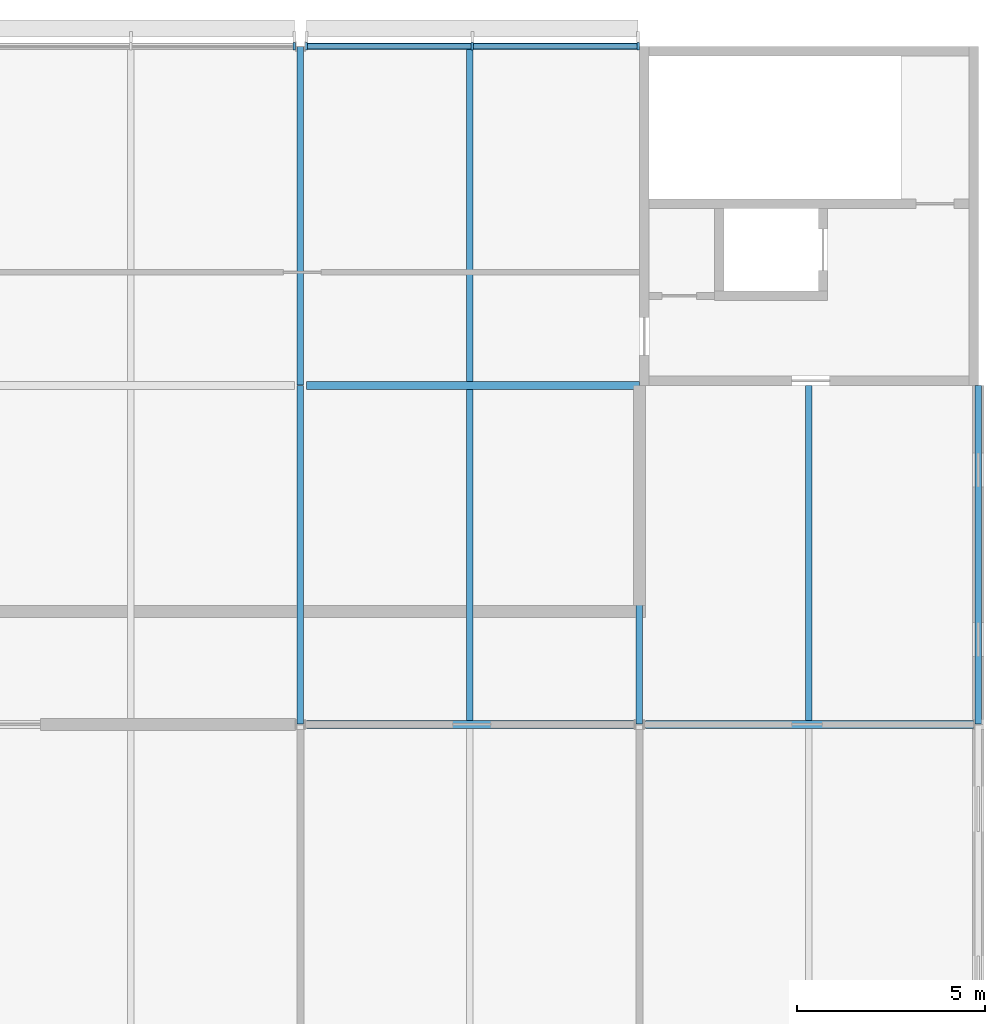
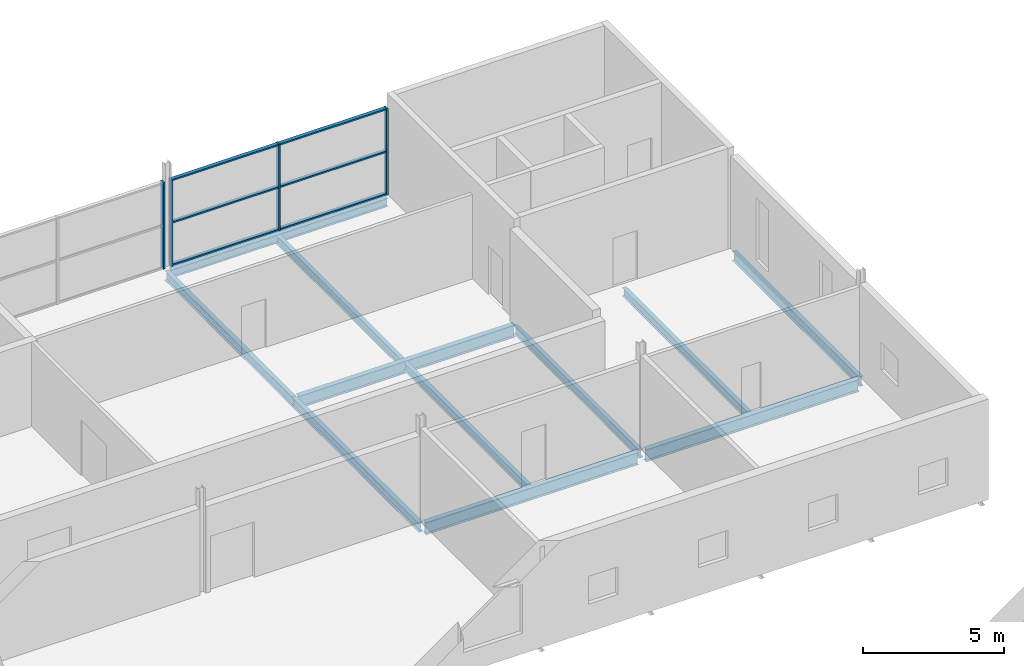
# One storey, part 88 of 138: 11 beams, 10 members, 2 elements without a shape of their own.
"""IFC4 building model written with IfcOpenShell, lengths in metres."""

import ifcopenshell
import ifcopenshell.guid

model = None  # the IFC model being written
_history = None  # IfcOwnerHistory: only IFC2X3 demands one
_inside = {}  # id of a spatial element -> (the spatial element, [elements in it])
_under = {}  # id of a project, library or spatial element -> (it, [spatial elements below it])
_declared = {}  # id of a project -> (the project, [libraries it declares])
_typed = {}  # id of a type object -> (the type object, [elements of that type])
_made_of = {}  # id of a material, layer set ... -> (it, [elements and type objects made of it])


def new_model(schema):
    """Start an empty IFC model of exactly this schema.

    Asked for "IFC4X3", IfcOpenShell would pick the latest addendum, in which some entities
    have other attributes; the version numbers below select the first issue.
    IFC2X3 requires an IfcOwnerHistory on every rooted entity: one is made here for all.
    """
    global model, _history
    if schema == "IFC4X3":
        model = ifcopenshell.file(schema_version=(4, 3, 0, 0))
    else:
        model = ifcopenshell.file(schema=schema)
    _inside.clear()
    _under.clear()
    _declared.clear()
    _typed.clear()
    _made_of.clear()
    _history = None
    if model.schema == "IFC2X3":
        org = make("IfcOrganization", Name="unknown")
        user = make(
            "IfcPersonAndOrganization",
            ThePerson=make("IfcPerson", FamilyName="unknown"),
            TheOrganization=org,
        )
        app = make(
            "IfcApplication",
            ApplicationDeveloper=org,
            Version="unknown",
            ApplicationFullName="unknown",
            ApplicationIdentifier="unknown",
        )
        _history = make(
            "IfcOwnerHistory",
            OwningUser=user,
            OwningApplication=app,
            ChangeAction="ADDED",
            CreationDate=0,
        )
    return model


def make(cls, **values):
    """One entity of the class cls with the attributes given. An attribute that is None is left unset."""
    return model.create_entity(
        cls, **{name: value for name, value in values.items() if value is not None}
    )


def rooted(cls, **values):
    """An entity with a GlobalId (a new one), such as an element, a storey or a relation."""
    return make(cls, GlobalId=ifcopenshell.guid.new(), OwnerHistory=_history, **values)


def si_unit(unit_type, name, prefix=None):
    """IfcSIUnit, for example si_unit("LENGTHUNIT", "METRE", prefix="MILLI")."""
    return make("IfcSIUnit", UnitType=unit_type, Prefix=prefix, Name=name)


def assignment(units):
    """IfcUnitAssignment: the units of a project."""
    return None if units is None else make("IfcUnitAssignment", Units=units)


def point(xyz):
    """IfcCartesianPoint."""
    return None if xyz is None else make("IfcCartesianPoint", Coordinates=xyz)


def direction(xyz):
    """IfcDirection."""
    return None if xyz is None else make("IfcDirection", DirectionRatios=xyz)


def frame(location, z_axis=None, x_axis=None):
    """IfcAxis2Placement3D, a coordinate frame: its origin and axes. An axis left out is left unset."""
    return make(
        "IfcAxis2Placement3D",
        Location=point(location),
        Axis=direction(z_axis),
        RefDirection=direction(x_axis),
    )


def frame_2d(location, x_axis=None):
    """IfcAxis2Placement2D, a coordinate frame in the plane: its origin and x axis."""
    return make(
        "IfcAxis2Placement2D", Location=point(location), RefDirection=direction(x_axis)
    )


def origin():
    """The frame at (0, 0, 0) with its axes left unset."""
    return frame((0.0, 0.0, 0.0))


def origin_2d():
    """The frame at (0, 0) in the plane with its x axis left unset."""
    return frame_2d((0.0, 0.0))


def place(relative_to, where):
    """IfcLocalPlacement: puts the frame where relative to a parent placement (None: the world)."""
    return make(
        "IfcLocalPlacement", PlacementRelTo=relative_to, RelativePlacement=where
    )


def context(
    kind, dimensions, precision=None, world=None, true_north=None, identifier=None
):
    """IfcGeometricRepresentationContext, for example the 3D "Model" context."""
    return make(
        "IfcGeometricRepresentationContext",
        ContextIdentifier=identifier,
        ContextType=kind,
        CoordinateSpaceDimension=dimensions,
        Precision=precision,
        WorldCoordinateSystem=world,
        TrueNorth=true_north,
    )


def subcontext(parent, identifier, kind, view, scale=None):
    """IfcGeometricRepresentationSubContext, for example "Body" below "Model"."""
    return make(
        "IfcGeometricRepresentationSubContext",
        ContextIdentifier=identifier,
        ContextType=kind,
        ParentContext=parent,
        TargetScale=scale,
        TargetView=view,
    )


def project(units=None, contexts=None):
    """IfcProject with its units and contexts."""
    return rooted(
        "IfcProject",
        Name="project",
        RepresentationContexts=contexts,
        UnitsInContext=assignment(units),
    )


def spatial(cls, under=None, at=None, **own):
    """A site, building, storey or space (cls), placed at a placement, below another one or the project."""
    s = rooted(cls, ObjectPlacement=at, **own)
    if under is not None:
        _under.setdefault(under.id(), (under, []))[1].append(s)
    return s


def profile(cls, at=None, kind="AREA", **sizes):
    """A parametric profile (cls). Its sizes go by their IFC names, for example OverallWidth=200.0."""
    return make(cls, ProfileType=kind, Position=at, **sizes)


def rectangle(**sizes):
    """IfcRectangleProfileDef."""
    return profile("IfcRectangleProfileDef", **sizes)


def i_section(**sizes):
    """IfcIShapeProfileDef."""
    return profile("IfcIShapeProfileDef", **sizes)


def extrude(swept, where, along, depth):
    """IfcExtrudedAreaSolid: the profile swept, set in the frame where, extruded along a direction by depth."""
    return make(
        "IfcExtrudedAreaSolid",
        SweptArea=swept,
        Position=where,
        ExtrudedDirection=direction(along),
        Depth=depth,
    )


def shape(context_of_items, identifier, shape_type, items):
    """IfcShapeRepresentation: the items that make up one representation, for example the "Body"."""
    return make(
        "IfcShapeRepresentation",
        ContextOfItems=context_of_items,
        RepresentationIdentifier=identifier,
        RepresentationType=shape_type,
        Items=items,
    )


def material(Name=None, Category=None):
    """IfcMaterial."""
    return make("IfcMaterial", Name=Name, Category=Category)


def layer(
    of_material, thickness, ventilated=None, Name=None, Category=None, Priority=None
):
    """IfcMaterialLayer: one layer of a wall or slab, of a material (None: an air gap)."""
    return make(
        "IfcMaterialLayer",
        Material=of_material,
        LayerThickness=thickness,
        IsVentilated=ventilated,
        Name=Name,
        Category=Category,
        Priority=Priority,
    )


def layer_set(layers, Name=None):
    """IfcMaterialLayerSet."""
    return make("IfcMaterialLayerSet", MaterialLayers=layers, LayerSetName=Name)


def material_profile(
    of_material, cross_section, Name=None, Category=None, Priority=None
):
    """IfcMaterialProfile: a cross section and its material."""
    return make(
        "IfcMaterialProfile",
        Name=Name,
        Material=of_material,
        Profile=cross_section,
        Priority=Priority,
        Category=Category,
    )


def profile_set(profiles, Name=None, composite=None):
    """IfcMaterialProfileSet."""
    return make(
        "IfcMaterialProfileSet",
        Name=Name,
        MaterialProfiles=profiles,
        CompositeProfile=composite,
    )


def made_of(thing, what):
    """Note that an element or type object is made of a material, layer set ...; save() writes the relation."""
    if what is not None:
        _made_of.setdefault(what.id(), (what, []))[1].append(thing)
    return thing


def type_object(cls, material=None, **own):
    """A type object (cls), such as IfcWallType, which elements share."""
    return made_of(rooted(cls, **own), material)


def element(
    cls,
    number,
    at=None,
    inside=None,
    cuts=None,
    type_object=None,
    material=None,
    context=None,
    identifier="Body",
    shape_type=None,
    held_by="IfcProductDefinitionShape",
    body=None,
    shapes=None,
    **own,
):
    """One element of the class cls, such as IfcWall. Its Tag is "e" and its number.

    at: its placement. inside: the storey or other place that contains it. cuts: it is an
    opening in that element (IfcRelVoidsElement). A single representation is given by context,
    identifier, shape_type and body (its items); several are given by shapes. held_by: the class
    of the entity that holds the representations. save() writes the other relations.
    """
    e = rooted(cls, Tag="e%d" % number, ObjectPlacement=at, **own)
    if body is not None:
        shapes = [shape(context, identifier, shape_type, body)]
    if shapes is not None:
        e.Representation = make(held_by, Representations=shapes)
    if inside is not None:
        _inside.setdefault(inside.id(), (inside, []))[1].append(e)
    if cuts is not None:
        rooted(
            "IfcRelVoidsElement", RelatingBuildingElement=cuts, RelatedOpeningElement=e
        )
    if type_object is not None:
        _typed.setdefault(type_object.id(), (type_object, []))[1].append(e)
    return made_of(e, material)


def aggregate(whole, parts):
    """IfcRelAggregates: a whole, such as a stair, and the parts it consists of."""
    return rooted("IfcRelAggregates", RelatingObject=whole, RelatedObjects=parts)


def save(model, path):
    """Write the relations noted so far, then the file.

    IfcRelAggregates (storeys below a building ...), IfcRelContainedInSpatialStructure (elements
    in a storey), IfcRelDefinesByType, IfcRelAssociatesMaterial and IfcRelDeclares: one each for
    every whole, place, type object, material and project.
    """
    for whole, parts in _under.values():
        aggregate(whole, parts)
    for where, things in _inside.values():
        rooted(
            "IfcRelContainedInSpatialStructure",
            RelatedElements=things,
            RelatingStructure=where,
        )
    for kind, things in _typed.values():
        rooted("IfcRelDefinesByType", RelatedObjects=things, RelatingType=kind)
    for what, things in _made_of.values():
        rooted("IfcRelAssociatesMaterial", RelatedObjects=things, RelatingMaterial=what)
    for by, libraries in _declared.values():
        rooted("IfcRelDeclares", RelatingContext=by, RelatedDefinitions=libraries)
    model.write(path)


model = new_model("IFC4")

# Units and contexts
model_context = context("Model", 3, precision=1e-05, world=origin(), true_north=direction((0.0, 1.0)))
body_context = subcontext(model_context, "Body", "Model", "MODEL_VIEW")
ifc_project = project(units=[si_unit("LENGTHUNIT", "METRE"), si_unit("AREAUNIT", "SQUARE_METRE"), si_unit("VOLUMEUNIT", "CUBIC_METRE"), si_unit("PLANEANGLEUNIT", "RADIAN"), si_unit("MASSUNIT", "GRAM", prefix="KILO")], contexts=[model_context])

# Site, building, storey
site_placement = place(None, origin())
site = spatial("IfcSite", under=ifc_project, at=site_placement, CompositionType="ELEMENT")
building_placement = place(site_placement, origin())
building = spatial("IfcBuilding", under=site, at=building_placement, Name="Corbel Yard City Hall", CompositionType="ELEMENT")
storey_placement = place(building_placement, frame((0.0, 0.0, 10.5)))
storey = spatial("IfcBuildingStorey", under=building, at=storey_placement, Name="L02", CompositionType="ELEMENT", Elevation=10.5)

# Beams
ifc_material_1 = material(Name="Steel Grade 300 (300 MPa yield)", Category="steel")
ifc_material_profile_1 = material_profile(ifc_material_1, i_section(OverallWidth=0.1708984375, OverallDepth=0.35595703125, WebThickness=0.00732421875, FlangeThickness=0.011474609375, at=origin_2d()), Name="360UB50.7")
ifc_profile_set_1 = profile_set([ifc_material_profile_1], Name="Steel Grade 300 (300 MPa yield)")
beam_type_1 = type_object("IfcBeamType", Name="Beam 360UB50.7", PredefinedType="BEAM", material=ifc_profile_set_1)
beam_1_placement = place(storey_placement, frame((171.0, 99.005859375, -0.327880859375), z_axis=(0.0, 1.0, 0.0), x_axis=(-1.0, 0.0, 0.0)))
element("IfcBeam", 1, at=beam_1_placement, inside=storey, type_object=beam_type_1, Name="Beam 360UB50.7 SB14 L02floor", PredefinedType="BEAM", context=body_context, shape_type="SweptSolid", body=[
    extrude(i_section(OverallWidth=0.1708984375, OverallDepth=0.35595703125, WebThickness=0.00732421875, FlangeThickness=0.011474609375, at=origin_2d()), origin(), (0.0, 0.0, 1.0), 8.8896484375),
])
ifc_material_profile_2 = material_profile(ifc_material_1, i_section(OverallWidth=0.177978515625, OverallDepth=0.403076171875, WebThickness=0.007568359375, FlangeThickness=0.010986328125, at=origin_2d()), Name="410UB53.7")
ifc_profile_set_2 = profile_set([ifc_material_profile_2], Name="Steel Grade 300 (300 MPa yield)")
beam_type_2 = type_object("IfcBeamType", Name="Beam 410UB53.7", PredefinedType="BEAM", material=ifc_profile_set_2)
beam_2_placement = place(storey_placement, frame((162.0, 99.005859375, -0.3515625), z_axis=(0.0, 1.0, 0.0), x_axis=(-1.0, 0.0, 0.0)))
element("IfcBeam", 2, at=beam_2_placement, inside=storey, type_object=beam_type_2, Name="Beam 410UB53.7 SB6 L02floor", PredefinedType="BEAM", context=body_context, shape_type="SweptSolid", body=[
    extrude(i_section(OverallWidth=0.177978515625, OverallDepth=0.403076171875, WebThickness=0.007568359375, FlangeThickness=0.010986328125, at=origin_2d()), origin(), (0.0, 0.0, 1.0), 8.98828125),
])
beam_3_placement = place(storey_placement, frame((162.0, 108.005859375, -0.3515625), z_axis=(0.0, 1.0, 0.0), x_axis=(-1.0, 0.0, 0.0)))
element("IfcBeam", 3, at=beam_3_placement, inside=storey, type_object=beam_type_2, Name="Beam 410UB53.7 SB6 L02floor", PredefinedType="BEAM", context=body_context, shape_type="SweptSolid", body=[
    extrude(i_section(OverallWidth=0.177978515625, OverallDepth=0.403076171875, WebThickness=0.007568359375, FlangeThickness=0.010986328125, at=origin_2d()), origin(), (0.0, 0.0, 1.0), 8.98876953125),
])
ifc_material_profile_3 = material_profile(ifc_material_1, i_section(OverallWidth=0.172119140625, OverallDepth=0.35888671875, WebThickness=0.008056640625, FlangeThickness=0.012939453125, at=origin_2d()), Name="360UB56.7")
ifc_profile_set_3 = profile_set([ifc_material_profile_3], Name="Steel Grade 300 (300 MPa yield)")
beam_type_3 = type_object("IfcBeamType", Name="Edge beam 360UB56.7", PredefinedType="BEAM", material=ifc_profile_set_3)
beam_4_placement = place(storey_placement, frame((162.1298828125, 117.0, -0.32958984375), z_axis=(1.0, 0.0, 0.0), x_axis=(0.0, 1.0, 0.0)))
element("IfcBeam", 4, at=beam_4_placement, inside=storey, type_object=beam_type_3, Name="Edge beam 360UB56.7 EB4 L02floor", PredefinedType="BEAM", context=body_context, shape_type="SweptSolid", body=[
    extrude(i_section(OverallWidth=0.172119140625, OverallDepth=0.35888671875, WebThickness=0.008056640625, FlangeThickness=0.012939453125, at=origin_2d()), origin(), (0.0, 0.0, 1.0), 8.8701171875),
])
ifc_material_profile_4 = material_profile(ifc_material_1, i_section(OverallWidth=0.177978515625, OverallDepth=0.403076171875, WebThickness=0.007568359375, FlangeThickness=0.010986328125, at=origin_2d()), Name="410UB53.7")
ifc_profile_set_4 = profile_set([ifc_material_profile_4], Name="Steel Grade 300 (300 MPa yield)")
beam_type_4 = type_object("IfcBeamType", Name="Edge beam 410UB53.7", PredefinedType="BEAM", material=ifc_profile_set_4)
beam_5_placement = place(storey_placement, frame((180.0, 99.00537109375, -0.3515625), z_axis=(0.0, 1.0, 0.0), x_axis=(-1.0, 0.0, 0.0)))
element("IfcBeam", 5, at=beam_5_placement, inside=storey, type_object=beam_type_4, Name="Edge beam 410UB53.7 EB6 L02floor", PredefinedType="BEAM", context=body_context, shape_type="SweptSolid", body=[
    extrude(i_section(OverallWidth=0.177978515625, OverallDepth=0.403076171875, WebThickness=0.007568359375, FlangeThickness=0.010986328125, at=origin_2d()), origin(), (0.0, 0.0, 1.0), 8.99462890625),
])
ifc_material_profile_5 = material_profile(ifc_material_1, i_section(OverallWidth=0.208984375, OverallDepth=0.528076171875, WebThickness=0.009521484375, FlangeThickness=0.01318359375, at=origin_2d()), Name="530UB82.0")
ifc_profile_set_5 = profile_set([ifc_material_profile_5], Name="Steel Grade 300 (300 MPa yield)")
beam_type_5 = type_object("IfcBeamType", Name="Girder 530UB82.0", PredefinedType="BEAM", material=ifc_profile_set_5)
beam_6_placement = place(storey_placement, frame((162.157470703125, 99.0, -0.4140625), z_axis=(1.0, 0.0, 0.0), x_axis=(0.0, 1.0, 0.0)))
element("IfcBeam", 6, at=beam_6_placement, inside=storey, type_object=beam_type_5, Name="Girder 530UB82.0 GB3 L02floor", PredefinedType="BEAM", context=body_context, shape_type="SweptSolid", body=[
    extrude(i_section(OverallWidth=0.208984375, OverallDepth=0.528076171875, WebThickness=0.009521484375, FlangeThickness=0.01318359375, at=origin_2d()), origin(), (0.0, 0.0, 1.0), 8.68505859375),
])
beam_7_placement = place(storey_placement, frame((171.157470703125, 99.0, -0.4140625), z_axis=(1.0, 0.0, 0.0), x_axis=(0.0, 1.0, 0.0)))
element("IfcBeam", 7, at=beam_7_placement, inside=storey, type_object=beam_type_5, Name="Girder 530UB82.0 GB3 L02floor", PredefinedType="BEAM", context=body_context, shape_type="SweptSolid", body=[
    extrude(i_section(OverallWidth=0.208984375, OverallDepth=0.528076171875, WebThickness=0.009521484375, FlangeThickness=0.01318359375, at=origin_2d()), origin(), (0.0, 0.0, 1.0), 8.712646484375),
])
beam_8_placement = place(storey_placement, frame((162.157470703125, 108.0, -0.4140625), z_axis=(1.0, 0.0, 0.0), x_axis=(0.0, 1.0, 0.0)))
element("IfcBeam", 8, at=beam_8_placement, inside=storey, type_object=beam_type_5, Name="Girder 530UB82.0 GB3 L02floor", PredefinedType="BEAM", context=body_context, shape_type="SweptSolid", body=[
    extrude(i_section(OverallWidth=0.208984375, OverallDepth=0.528076171875, WebThickness=0.009521484375, FlangeThickness=0.01318359375, at=origin_2d()), origin(), (0.0, 0.0, 1.0), 8.842529296875),
])

# Curtain wall, member
ifc_material_2 = material(Name="Aluminium extrusion", Category="aluminium")
ifc_layer = layer(ifc_material_2, 0.199951171875)
ifc_layer_set = layer_set([ifc_layer], Name="Aluminium extrusion")
curtain_wall_type = type_object("IfcCurtainWallType", Name="CW1", PredefinedType="USERDEFINED", material=ifc_layer_set)
curtain_wall_1_placement = place(storey_placement, origin())
curtain_wall_1 = element("IfcCurtainWall", 9, at=curtain_wall_1_placement, inside=storey, type_object=curtain_wall_type, Name="Curtain wall CW1 L02", ObjectType="CURTAIN WALL", PredefinedType="USERDEFINED")
ifc_material_profile_6 = material_profile(ifc_material_2, rectangle(XDim=0.199951171875, YDim=0.06494140625, at=origin_2d()), Name="200x65")
ifc_profile_set_6 = profile_set([ifc_material_profile_6], Name="Aluminium extrusion")
member_type_1 = type_object("IfcMemberType", Name="ML1", PredefinedType="MULLION", material=ifc_profile_set_6)
member_1_placement = place(storey_placement, frame((161.840576171875, 117.0, 0.0), z_axis=(0.0, 0.0, 1.0), x_axis=(0.0, 1.0, 0.0)))
member_1 = element("IfcMember", 10, at=member_1_placement, type_object=member_type_1, Name="CW1 mullion 3", PredefinedType="MULLION", context=body_context, shape_type="SweptSolid", body=[
    extrude(rectangle(XDim=0.199951171875, YDim=0.06494140625, at=origin_2d()), origin(), (0.0, 0.0, 1.0), 3.738037109375),
])
aggregate(curtain_wall_1, [member_1])

# Curtain wall, members
curtain_wall_2_placement = place(storey_placement, origin())
curtain_wall_2 = element("IfcCurtainWall", 11, at=curtain_wall_2_placement, inside=storey, type_object=curtain_wall_type, Name="Curtain wall CW1 L02", ObjectType="CURTAIN WALL", PredefinedType="USERDEFINED")
member_2_placement = place(storey_placement, frame((162.159423828125, 117.0, 0.0), z_axis=(0.0, 0.0, 1.0), x_axis=(0.0, 1.0, 0.0)))
member_2 = element("IfcMember", 12, at=member_2_placement, type_object=member_type_1, Name="CW1 mullion 1", PredefinedType="MULLION", context=body_context, shape_type="SweptSolid", body=[
    extrude(rectangle(XDim=0.199951171875, YDim=0.06494140625, at=origin_2d()), origin(), (0.0, 0.0, 1.0), 3.738037109375),
])
member_3_placement = place(storey_placement, frame((166.5634765625, 117.0, 0.0), z_axis=(0.0, 0.0, 1.0), x_axis=(0.0, 1.0, 0.0)))
member_3 = element("IfcMember", 13, at=member_3_placement, type_object=member_type_1, Name="CW1 mullion 2", PredefinedType="MULLION", context=body_context, shape_type="SweptSolid", body=[
    extrude(rectangle(XDim=0.199951171875, YDim=0.06494140625, at=origin_2d()), origin(), (0.0, 0.0, 1.0), 3.738037109375),
])
member_4_placement = place(storey_placement, frame((170.967529296875, 117.0, 0.0), z_axis=(0.0, 0.0, 1.0), x_axis=(0.0, 1.0, 0.0)))
member_4 = element("IfcMember", 14, at=member_4_placement, type_object=member_type_1, Name="CW1 mullion 3", PredefinedType="MULLION", context=body_context, shape_type="SweptSolid", body=[
    extrude(rectangle(XDim=0.199951171875, YDim=0.06494140625, at=origin_2d()), origin(), (0.0, 0.0, 1.0), 3.738037109375),
])

# Beams
ifc_material_profile_7 = material_profile(ifc_material_1, i_section(OverallWidth=0.1708984375, OverallDepth=0.35205078125, WebThickness=0.0068359375, FlangeThickness=0.009765625, at=origin_2d()), Name="360UB44.7")
ifc_profile_set_7 = profile_set([ifc_material_profile_7], Name="Steel Grade 300 (300 MPa yield)")
beam_type_6 = type_object("IfcBeamType", Name="Secondary beam 360UB44.7", PredefinedType="JOIST", material=ifc_profile_set_7)
beam_9_placement = place(storey_placement, frame((166.5, 99.1044921875, -0.325927734375), z_axis=(0.0, 1.0, 0.0), x_axis=(-1.0, 0.0, 0.0)))
element("IfcBeam", 15, at=beam_9_placement, inside=storey, type_object=beam_type_6, Name="Secondary beam 360UB44.7 SB11 L02floor", PredefinedType="JOIST", context=body_context, shape_type="SweptSolid", body=[
    extrude(i_section(OverallWidth=0.1708984375, OverallDepth=0.35205078125, WebThickness=0.0068359375, FlangeThickness=0.009765625, at=origin_2d()), origin(), (0.0, 0.0, 1.0), 8.791015625),
])
ifc_material_profile_8 = material_profile(ifc_material_1, i_section(OverallWidth=0.1708984375, OverallDepth=0.35595703125, WebThickness=0.00732421875, FlangeThickness=0.011474609375, at=origin_2d()), Name="360UB50.7")
ifc_profile_set_8 = profile_set([ifc_material_profile_8], Name="Steel Grade 300 (300 MPa yield)")
beam_type_7 = type_object("IfcBeamType", Name="Secondary beam 360UB50.7", PredefinedType="JOIST", material=ifc_profile_set_8)
beam_10_placement = place(storey_placement, frame((166.5, 108.1044921875, -0.327880859375), z_axis=(0.0, 1.0, 0.0), x_axis=(-1.0, 0.0, 0.0)))
element("IfcBeam", 16, at=beam_10_placement, inside=storey, type_object=beam_type_7, Name="Secondary beam 360UB50.7 SB10 L02floor", PredefinedType="JOIST", context=body_context, shape_type="SweptSolid", body=[
    extrude(i_section(OverallWidth=0.1708984375, OverallDepth=0.35595703125, WebThickness=0.00732421875, FlangeThickness=0.011474609375, at=origin_2d()), origin(), (0.0, 0.0, 1.0), 8.8095703125),
])
beam_11_placement = place(storey_placement, frame((175.5, 99.1044921875, -0.327880859375), z_axis=(0.0, 1.0, 0.0), x_axis=(-1.0, 0.0, 0.0)))
element("IfcBeam", 17, at=beam_11_placement, inside=storey, type_object=beam_type_7, Name="Secondary beam 360UB50.7 SB10 L02floor", PredefinedType="JOIST", context=body_context, shape_type="SweptSolid", body=[
    extrude(i_section(OverallWidth=0.1708984375, OverallDepth=0.35595703125, WebThickness=0.00732421875, FlangeThickness=0.011474609375, at=origin_2d()), origin(), (0.0, 0.0, 1.0), 8.8955078125),
])

# Member
ifc_material_profile_9 = material_profile(ifc_material_2, rectangle(XDim=0.14990234375, YDim=0.06494140625, at=origin_2d()), Name="150x65")
ifc_profile_set_9 = profile_set([ifc_material_profile_9], Name="Aluminium extrusion")
member_type_2 = type_object("IfcMemberType", Name="TR1", PredefinedType="USERDEFINED", material=ifc_profile_set_9)
member_5_placement = place(storey_placement, frame((162.19189453125, 117.0, 0.032470703125), z_axis=(1.0, 0.0, 0.0), x_axis=(0.0, 1.0, 0.0)))
member_5 = element("IfcMember", 18, at=member_5_placement, type_object=member_type_2, Name="CW1 transom 1.1", ObjectType="TRANSOM", PredefinedType="USERDEFINED", context=body_context, shape_type="SweptSolid", body=[
    extrude(rectangle(XDim=0.14990234375, YDim=0.06494140625, at=origin_2d()), origin(), (0.0, 0.0, 1.0), 4.339111328125),
])

member_6_placement = place(storey_placement, frame((162.19189453125, 117.0, 1.868896484375), z_axis=(1.0, 0.0, 0.0), x_axis=(0.0, 1.0, 0.0)))
member_6 = element("IfcMember", 19, at=member_6_placement, type_object=member_type_2, Name="CW1 transom 1.2", ObjectType="TRANSOM", PredefinedType="USERDEFINED", context=body_context, shape_type="SweptSolid", body=[
    extrude(rectangle(XDim=0.14990234375, YDim=0.06494140625, at=origin_2d()), origin(), (0.0, 0.0, 1.0), 4.339111328125),
])

member_7_placement = place(storey_placement, frame((162.19189453125, 117.0, 3.70556640625), z_axis=(1.0, 0.0, 0.0), x_axis=(0.0, 1.0, 0.0)))
member_7 = element("IfcMember", 20, at=member_7_placement, type_object=member_type_2, Name="CW1 transom 1.3", ObjectType="TRANSOM", PredefinedType="USERDEFINED", context=body_context, shape_type="SweptSolid", body=[
    extrude(rectangle(XDim=0.14990234375, YDim=0.06494140625, at=origin_2d()), origin(), (0.0, 0.0, 1.0), 4.339111328125),
])

member_8_placement = place(storey_placement, frame((166.595947265625, 117.0, 0.032470703125), z_axis=(1.0, 0.0, 0.0), x_axis=(0.0, 1.0, 0.0)))
member_8 = element("IfcMember", 21, at=member_8_placement, type_object=member_type_2, Name="CW1 transom 2.1", ObjectType="TRANSOM", PredefinedType="USERDEFINED", context=body_context, shape_type="SweptSolid", body=[
    extrude(rectangle(XDim=0.14990234375, YDim=0.06494140625, at=origin_2d()), origin(), (0.0, 0.0, 1.0), 4.339111328125),
])

member_9_placement = place(storey_placement, frame((166.595947265625, 117.0, 1.868896484375), z_axis=(1.0, 0.0, 0.0), x_axis=(0.0, 1.0, 0.0)))
member_9 = element("IfcMember", 22, at=member_9_placement, type_object=member_type_2, Name="CW1 transom 2.2", ObjectType="TRANSOM", PredefinedType="USERDEFINED", context=body_context, shape_type="SweptSolid", body=[
    extrude(rectangle(XDim=0.14990234375, YDim=0.06494140625, at=origin_2d()), origin(), (0.0, 0.0, 1.0), 4.339111328125),
])

member_10_placement = place(storey_placement, frame((166.595947265625, 117.0, 3.70556640625), z_axis=(1.0, 0.0, 0.0), x_axis=(0.0, 1.0, 0.0)))
member_10 = element("IfcMember", 23, at=member_10_placement, type_object=member_type_2, Name="CW1 transom 2.3", ObjectType="TRANSOM", PredefinedType="USERDEFINED", context=body_context, shape_type="SweptSolid", body=[
    extrude(rectangle(XDim=0.14990234375, YDim=0.06494140625, at=origin_2d()), origin(), (0.0, 0.0, 1.0), 4.339111328125),
])

aggregate(curtain_wall_2, [member_2, member_3, member_4, member_5, member_6, member_7, member_8, member_9, member_10])

save(model, "model.ifc")
